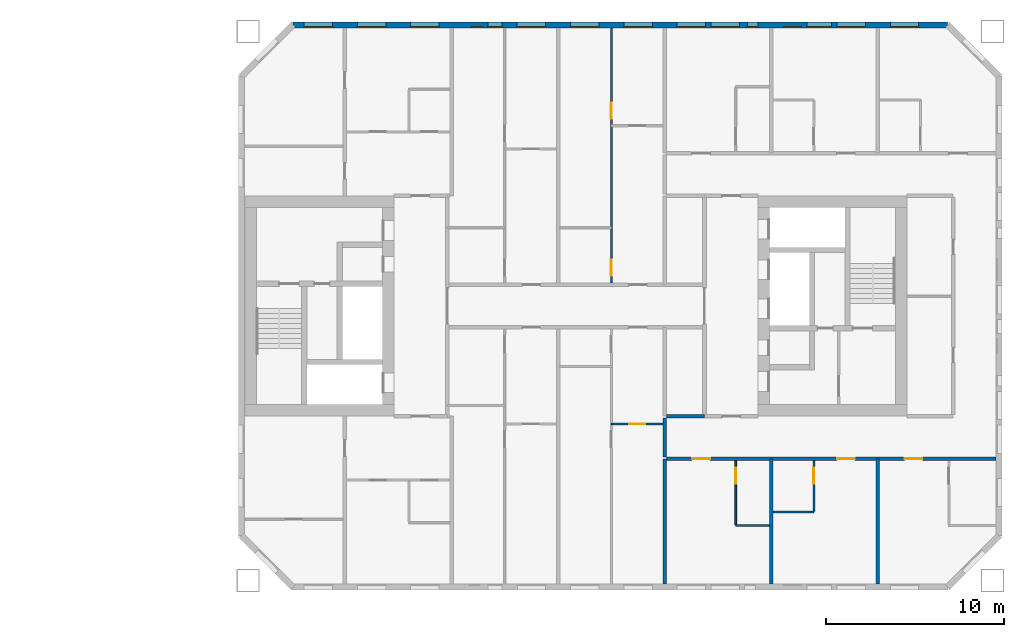
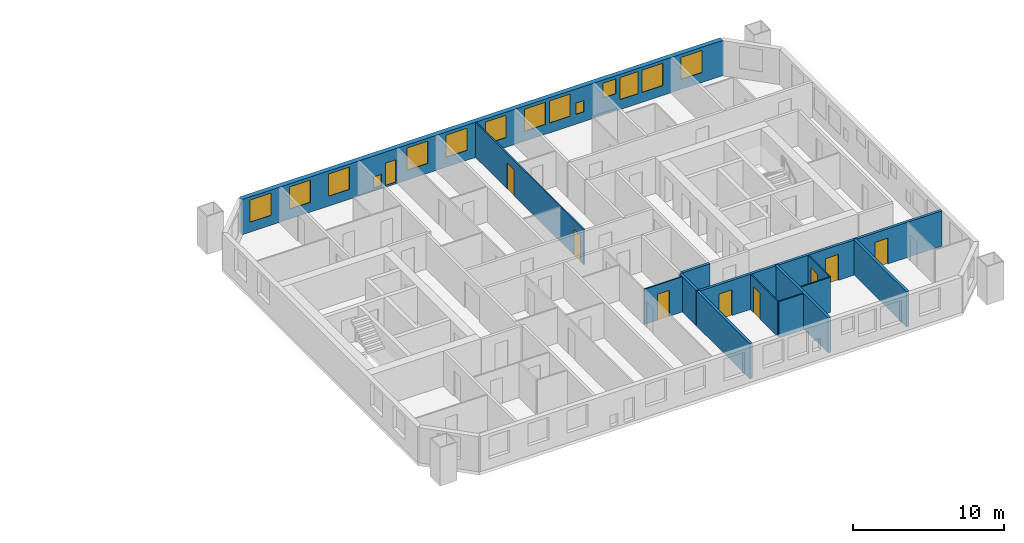
# One storey, part 12 of 17: 15 windows, 13 walls, 8 doors, 23 openings.
"""IFC4 building model written with IfcOpenShell, lengths in metres."""

from ifc_helpers import new_model, si_unit, direction, frame, frame_2d, origin, place, context, subcontext, project, spatial, rectangle, extrude, material, layer, layer_set, type_object, element, fill, save


model = new_model("IFC4")

# Units and contexts
model_context = context("Model", 3, precision=1e-05, world=origin(), true_north=direction((0.0, 1.0)))
body_context = subcontext(model_context, "Body", "Model", "MODEL_VIEW")
ifc_project = project(units=[si_unit("LENGTHUNIT", "METRE"), si_unit("AREAUNIT", "SQUARE_METRE"), si_unit("VOLUMEUNIT", "CUBIC_METRE"), si_unit("PLANEANGLEUNIT", "RADIAN"), si_unit("MASSUNIT", "GRAM", prefix="KILO")], contexts=[model_context])

# Site, building, storey
site_placement = place(None, origin())
site = spatial("IfcSite", under=ifc_project, at=site_placement, CompositionType="ELEMENT")
building_placement = place(site_placement, origin())
building = spatial("IfcBuilding", under=site, at=building_placement, Name="Tuart Gate Housing", CompositionType="ELEMENT")
storey_placement = place(building_placement, frame((0.0, 0.0, 105.699951171875)))
storey = spatial("IfcBuildingStorey", under=building, at=storey_placement, Name="L29", CompositionType="ELEMENT", Elevation=105.699951171875)

# Wall, openings, windows
ifc_material_1 = material(Name="Brick", Category="masonry")
ifc_layer_1 = layer(ifc_material_1, 0.360107421875)
ifc_layer_set_1 = layer_set([ifc_layer_1], Name="Brick pier and spandrel wall 360")
wall_type_1 = type_object("IfcWallType", Name="Brick pier and spandrel wall 360", PredefinedType="STANDARD", material=ifc_layer_set_1)
wall_1_placement = place(storey_placement, frame((170.92529296875, 85.820068359375, 0.0), z_axis=(0.0, 0.0, 1.0), x_axis=(-1.0, 0.0, 0.0)))
wall_1 = element("IfcWall", 1, at=wall_1_placement, inside=storey, type_object=wall_type_1, Name="External wall B-N L29", PredefinedType="STANDARD", context=body_context, shape_type="SweptSolid", body=[
    extrude(rectangle(XDim=36.850830078125, YDim=0.360107421875, at=frame_2d((18.42529296875, 0.0))), origin(), (0.0, 0.0, 1.0), 2.85009765625),
])
opening_1_placement = place(wall_1_placement, frame((1.62548828125, 0.0, 0.800048828125)))
opening_1 = element("IfcOpeningElement", 2, at=opening_1_placement, cuts=wall_1, Name="Opening W1", PredefinedType="OPENING", context=body_context, shape_type="SweptSolid", body=[
    extrude(rectangle(XDim=1.60009765625, YDim=1.800048828125, at=frame_2d((0.800048828125, 0.89990234375))), frame((0.0, 0.18994140625, 0.0), z_axis=(0.0, -1.0, 0.0), x_axis=(1.0, 0.0, 0.0)), (0.0, 0.0, 1.0), 0.380126953125),
])
opening_2_placement = place(wall_1_placement, frame((4.62548828125, 0.0, 0.800048828125)))
opening_2 = element("IfcOpeningElement", 3, at=opening_2_placement, cuts=wall_1, Name="Opening W1", PredefinedType="OPENING", context=body_context, shape_type="SweptSolid", body=[
    extrude(rectangle(XDim=1.60009765625, YDim=1.800048828125, at=frame_2d((0.800048828125, 0.89990234375))), frame((0.0, 0.18994140625, 0.0), z_axis=(0.0, -1.0, 0.0), x_axis=(1.0, 0.0, 0.0)), (0.0, 0.0, 1.0), 0.380126953125),
])
opening_3_placement = place(wall_1_placement, frame((6.525390625, 0.0, 0.800048828125)))
opening_3 = element("IfcOpeningElement", 4, at=opening_3_placement, cuts=wall_1, Name="Opening W1A", PredefinedType="OPENING", context=body_context, shape_type="SweptSolid", body=[
    extrude(rectangle(XDim=1.39990234375, YDim=1.800048828125, at=frame_2d((0.699951171875, 0.89990234375))), frame((0.0, 0.18994140625, 0.0), z_axis=(0.0, -1.0, 0.0), x_axis=(1.0, 0.0, 0.0)), (0.0, 0.0, 1.0), 0.380126953125),
])
opening_4_placement = place(wall_1_placement, frame((10.67529296875, 0.0, 0.800048828125)))
opening_4 = element("IfcOpeningElement", 5, at=opening_4_placement, cuts=wall_1, Name="Opening W1W", PredefinedType="OPENING", context=body_context, shape_type="SweptSolid", body=[
    extrude(rectangle(XDim=0.60009765625, YDim=0.89990234375, at=frame_2d((0.300048828125, 0.449951171875))), frame((0.0, 0.18994140625, 0.0), z_axis=(0.0, -1.0, 0.0), x_axis=(1.0, 0.0, 0.0)), (0.0, 0.0, 1.0), 0.380126953125),
])
opening_5_placement = place(wall_1_placement, frame((13.62548828125, 0.0, 0.800048828125)))
opening_5 = element("IfcOpeningElement", 6, at=opening_5_placement, cuts=wall_1, Name="Opening W1", PredefinedType="OPENING", context=body_context, shape_type="SweptSolid", body=[
    extrude(rectangle(XDim=1.60009765625, YDim=1.800048828125, at=frame_2d((0.800048828125, 0.89990234375))), frame((0.0, 0.18994140625, 0.0), z_axis=(0.0, -1.0, 0.0), x_axis=(1.0, 0.0, 0.0)), (0.0, 0.0, 1.0), 0.380126953125),
])
opening_6_placement = place(wall_1_placement, frame((16.62548828125, 0.0, 0.800048828125)))
opening_6 = element("IfcOpeningElement", 7, at=opening_6_placement, cuts=wall_1, Name="Opening W1", PredefinedType="OPENING", context=body_context, shape_type="SweptSolid", body=[
    extrude(rectangle(XDim=1.60009765625, YDim=1.800048828125, at=frame_2d((0.800048828125, 0.89990234375))), frame((0.0, 0.18994140625, 0.0), z_axis=(0.0, -1.0, 0.0), x_axis=(1.0, 0.0, 0.0)), (0.0, 0.0, 1.0), 0.380126953125),
])
opening_7_placement = place(wall_1_placement, frame((19.62548828125, 0.0, 0.800048828125)))
opening_7 = element("IfcOpeningElement", 8, at=opening_7_placement, cuts=wall_1, Name="Opening W1", PredefinedType="OPENING", context=body_context, shape_type="SweptSolid", body=[
    extrude(rectangle(XDim=1.60009765625, YDim=1.800048828125, at=frame_2d((0.800048828125, 0.89990234375))), frame((0.0, 0.18994140625, 0.0), z_axis=(0.0, -1.0, 0.0), x_axis=(1.0, 0.0, 0.0)), (0.0, 0.0, 1.0), 0.380126953125),
])
opening_8_placement = place(wall_1_placement, frame((22.62548828125, 0.0, 0.800048828125)))
opening_8 = element("IfcOpeningElement", 9, at=opening_8_placement, cuts=wall_1, Name="Opening W1", PredefinedType="OPENING", context=body_context, shape_type="SweptSolid", body=[
    extrude(rectangle(XDim=1.60009765625, YDim=1.800048828125, at=frame_2d((0.800048828125, 0.89990234375))), frame((0.0, 0.18994140625, 0.0), z_axis=(0.0, -1.0, 0.0), x_axis=(1.0, 0.0, 0.0)), (0.0, 0.0, 1.0), 0.380126953125),
])
opening_9_placement = place(wall_1_placement, frame((25.075439453125, 0.0, 0.14990234375)))
opening_9 = element("IfcOpeningElement", 10, at=opening_9_placement, cuts=wall_1, Name="Opening W1D", PredefinedType="OPENING", context=body_context, shape_type="SweptSolid", body=[
    extrude(rectangle(XDim=0.800048828125, YDim=1.800048828125, at=frame_2d((0.39990234375, 0.89990234375))), frame((0.0, 0.18994140625, 0.0), z_axis=(0.0, -1.0, 0.0), x_axis=(1.0, 0.0, 0.0)), (0.0, 0.0, 1.0), 0.380126953125),
])
opening_10_placement = place(wall_1_placement, frame((28.62548828125, 0.0, 0.800048828125)))
opening_10 = element("IfcOpeningElement", 11, at=opening_10_placement, cuts=wall_1, Name="Opening W1", PredefinedType="OPENING", context=body_context, shape_type="SweptSolid", body=[
    extrude(rectangle(XDim=1.60009765625, YDim=1.800048828125, at=frame_2d((0.800048828125, 0.89990234375))), frame((0.0, 0.18994140625, 0.0), z_axis=(0.0, -1.0, 0.0), x_axis=(1.0, 0.0, 0.0)), (0.0, 0.0, 1.0), 0.380126953125),
])
opening_11_placement = place(wall_1_placement, frame((31.62548828125, 0.0, 0.800048828125)))
opening_11 = element("IfcOpeningElement", 12, at=opening_11_placement, cuts=wall_1, Name="Opening W1", PredefinedType="OPENING", context=body_context, shape_type="SweptSolid", body=[
    extrude(rectangle(XDim=1.60009765625, YDim=1.800048828125, at=frame_2d((0.800048828125, 0.89990234375))), frame((0.0, 0.18994140625, 0.0), z_axis=(0.0, -1.0, 0.0), x_axis=(1.0, 0.0, 0.0)), (0.0, 0.0, 1.0), 0.380126953125),
])
opening_12_placement = place(wall_1_placement, frame((34.62548828125, 0.0, 0.800048828125)))
opening_12 = element("IfcOpeningElement", 13, at=opening_12_placement, cuts=wall_1, Name="Opening W1", PredefinedType="OPENING", context=body_context, shape_type="SweptSolid", body=[
    extrude(rectangle(XDim=1.60009765625, YDim=1.800048828125, at=frame_2d((0.800048828125, 0.89990234375))), frame((0.0, 0.18994140625, 0.0), z_axis=(0.0, -1.0, 0.0), x_axis=(1.0, 0.0, 0.0)), (0.0, 0.0, 1.0), 0.380126953125),
])
opening_13_placement = place(wall_1_placement, frame((8.225341796875, 0.0, 1.39990234375)))
opening_13 = element("IfcOpeningElement", 14, at=opening_13_placement, cuts=wall_1, Name="Opening W1O", PredefinedType="OPENING", context=body_context, shape_type="SweptSolid", body=[
    extrude(rectangle(XDim=1.0, YDim=1.199951171875, at=frame_2d((0.5, 0.60009765625))), frame((0.0, 0.18994140625, 0.0), z_axis=(0.0, -1.0, 0.0), x_axis=(1.0, 0.0, 0.0)), (0.0, 0.0, 1.0), 0.380126953125),
])
opening_14_placement = place(wall_1_placement, frame((11.725341796875, 0.0, 0.800048828125)))
opening_14 = element("IfcOpeningElement", 15, at=opening_14_placement, cuts=wall_1, Name="Opening W1", PredefinedType="OPENING", context=body_context, shape_type="SweptSolid", body=[
    extrude(rectangle(XDim=1.60009765625, YDim=1.800048828125, at=frame_2d((0.800048828125, 0.89990234375))), frame((0.0, 0.18994140625, 0.0), z_axis=(0.0, -1.0, 0.0), x_axis=(1.0, 0.0, 0.0)), (0.0, 0.0, 1.0), 0.380126953125),
])
opening_15_placement = place(wall_1_placement, frame((26.17529296875, 0.0, 0.25)))
opening_15 = element("IfcOpeningElement", 16, at=opening_15_placement, cuts=wall_1, Name="Opening W1W", PredefinedType="OPENING", context=body_context, shape_type="SweptSolid", body=[
    extrude(rectangle(XDim=0.60009765625, YDim=0.89990234375, at=frame_2d((0.300048828125, 0.449951171875))), frame((0.0, 0.18994140625, 0.0), z_axis=(0.0, -1.0, 0.0), x_axis=(1.0, 0.0, 0.0)), (0.0, 0.0, 1.0), 0.380126953125),
])
ifc_material_2 = material(Name="Aluminium frame with clear glass", Category="aluminium")
window_type_1 = type_object("IfcWindowType", Name="Punched window 1000 x 1200", PartitioningType="SINGLE_PANEL", PredefinedType="WINDOW", material=ifc_material_2)
window_1_placement = place(opening_13_placement, origin())
window_1 = element("IfcWindow", 17, at=window_1_placement, inside=storey, type_object=window_type_1, Name="Window W1O", OverallHeight=1.199951171875, OverallWidth=1.0, PartitioningType="SINGLE_PANEL", PredefinedType="WINDOW", context=body_context, shape_type="SweptSolid", body=[
    extrude(rectangle(XDim=1.0, YDim=1.199951171875, at=frame_2d((0.5, 0.60009765625))), frame((0.0, 0.150146484375, 0.0), z_axis=(0.0, -1.0, 0.0), x_axis=(1.0, 0.0, 0.0)), (0.0, 0.0, 1.0), 0.06005859375),
])
fill(opening_13, window_1)
ifc_material_3 = material(Name="Aluminium frame with clear glass", Category="aluminium")
window_type_2 = type_object("IfcWindowType", Name="Punched window 1400 x 1800", PartitioningType="SINGLE_PANEL", PredefinedType="WINDOW", material=ifc_material_3)
window_2_placement = place(opening_3_placement, origin())
window_2 = element("IfcWindow", 18, at=window_2_placement, inside=storey, type_object=window_type_2, Name="Window W1A", OverallHeight=1.800048828125, OverallWidth=1.39990234375, PartitioningType="SINGLE_PANEL", PredefinedType="WINDOW", context=body_context, shape_type="SweptSolid", body=[
    extrude(rectangle(XDim=1.39990234375, YDim=1.800048828125, at=frame_2d((0.699951171875, 0.89990234375))), frame((0.0, 0.150146484375, 0.0), z_axis=(0.0, -1.0, 0.0), x_axis=(1.0, 0.0, 0.0)), (0.0, 0.0, 1.0), 0.06005859375),
])
fill(opening_3, window_2)
ifc_material_4 = material(Name="Aluminium frame with clear glass", Category="aluminium")
window_type_3 = type_object("IfcWindowType", Name="Punched window 1600 x 1800", PartitioningType="SINGLE_PANEL", PredefinedType="WINDOW", material=ifc_material_4)
window_3_placement = place(opening_1_placement, origin())
window_3 = element("IfcWindow", 19, at=window_3_placement, inside=storey, type_object=window_type_3, Name="Window W1", OverallHeight=1.800048828125, OverallWidth=1.60009765625, PartitioningType="SINGLE_PANEL", PredefinedType="WINDOW", context=body_context, shape_type="SweptSolid", body=[
    extrude(rectangle(XDim=1.60009765625, YDim=1.800048828125, at=frame_2d((0.800048828125, 0.89990234375))), frame((0.0, 0.150146484375, 0.0), z_axis=(0.0, -1.0, 0.0), x_axis=(1.0, 0.0, 0.0)), (0.0, 0.0, 1.0), 0.06005859375),
])
fill(opening_1, window_3)
window_4_placement = place(opening_2_placement, origin())
window_4 = element("IfcWindow", 20, at=window_4_placement, inside=storey, type_object=window_type_3, Name="Window W1", OverallHeight=1.800048828125, OverallWidth=1.60009765625, PartitioningType="SINGLE_PANEL", PredefinedType="WINDOW", context=body_context, shape_type="SweptSolid", body=[
    extrude(rectangle(XDim=1.60009765625, YDim=1.800048828125, at=frame_2d((0.800048828125, 0.89990234375))), frame((0.0, 0.150146484375, 0.0), z_axis=(0.0, -1.0, 0.0), x_axis=(1.0, 0.0, 0.0)), (0.0, 0.0, 1.0), 0.06005859375),
])
fill(opening_2, window_4)
window_5_placement = place(opening_5_placement, origin())
window_5 = element("IfcWindow", 21, at=window_5_placement, inside=storey, type_object=window_type_3, Name="Window W1", OverallHeight=1.800048828125, OverallWidth=1.60009765625, PartitioningType="SINGLE_PANEL", PredefinedType="WINDOW", context=body_context, shape_type="SweptSolid", body=[
    extrude(rectangle(XDim=1.60009765625, YDim=1.800048828125, at=frame_2d((0.800048828125, 0.89990234375))), frame((0.0, 0.150146484375, 0.0), z_axis=(0.0, -1.0, 0.0), x_axis=(1.0, 0.0, 0.0)), (0.0, 0.0, 1.0), 0.06005859375),
])
fill(opening_5, window_5)
window_6_placement = place(opening_6_placement, origin())
window_6 = element("IfcWindow", 22, at=window_6_placement, inside=storey, type_object=window_type_3, Name="Window W1", OverallHeight=1.800048828125, OverallWidth=1.60009765625, PartitioningType="SINGLE_PANEL", PredefinedType="WINDOW", context=body_context, shape_type="SweptSolid", body=[
    extrude(rectangle(XDim=1.60009765625, YDim=1.800048828125, at=frame_2d((0.800048828125, 0.89990234375))), frame((0.0, 0.150146484375, 0.0), z_axis=(0.0, -1.0, 0.0), x_axis=(1.0, 0.0, 0.0)), (0.0, 0.0, 1.0), 0.06005859375),
])
fill(opening_6, window_6)
window_7_placement = place(opening_7_placement, origin())
window_7 = element("IfcWindow", 23, at=window_7_placement, inside=storey, type_object=window_type_3, Name="Window W1", OverallHeight=1.800048828125, OverallWidth=1.60009765625, PartitioningType="SINGLE_PANEL", PredefinedType="WINDOW", context=body_context, shape_type="SweptSolid", body=[
    extrude(rectangle(XDim=1.60009765625, YDim=1.800048828125, at=frame_2d((0.800048828125, 0.89990234375))), frame((0.0, 0.150146484375, 0.0), z_axis=(0.0, -1.0, 0.0), x_axis=(1.0, 0.0, 0.0)), (0.0, 0.0, 1.0), 0.06005859375),
])
fill(opening_7, window_7)
window_8_placement = place(opening_8_placement, origin())
window_8 = element("IfcWindow", 24, at=window_8_placement, inside=storey, type_object=window_type_3, Name="Window W1", OverallHeight=1.800048828125, OverallWidth=1.60009765625, PartitioningType="SINGLE_PANEL", PredefinedType="WINDOW", context=body_context, shape_type="SweptSolid", body=[
    extrude(rectangle(XDim=1.60009765625, YDim=1.800048828125, at=frame_2d((0.800048828125, 0.89990234375))), frame((0.0, 0.150146484375, 0.0), z_axis=(0.0, -1.0, 0.0), x_axis=(1.0, 0.0, 0.0)), (0.0, 0.0, 1.0), 0.06005859375),
])
fill(opening_8, window_8)
window_9_placement = place(opening_10_placement, origin())
window_9 = element("IfcWindow", 25, at=window_9_placement, inside=storey, type_object=window_type_3, Name="Window W1", OverallHeight=1.800048828125, OverallWidth=1.60009765625, PartitioningType="SINGLE_PANEL", PredefinedType="WINDOW", context=body_context, shape_type="SweptSolid", body=[
    extrude(rectangle(XDim=1.60009765625, YDim=1.800048828125, at=frame_2d((0.800048828125, 0.89990234375))), frame((0.0, 0.150146484375, 0.0), z_axis=(0.0, -1.0, 0.0), x_axis=(1.0, 0.0, 0.0)), (0.0, 0.0, 1.0), 0.06005859375),
])
fill(opening_10, window_9)
window_10_placement = place(opening_11_placement, origin())
window_10 = element("IfcWindow", 26, at=window_10_placement, inside=storey, type_object=window_type_3, Name="Window W1", OverallHeight=1.800048828125, OverallWidth=1.60009765625, PartitioningType="SINGLE_PANEL", PredefinedType="WINDOW", context=body_context, shape_type="SweptSolid", body=[
    extrude(rectangle(XDim=1.60009765625, YDim=1.800048828125, at=frame_2d((0.800048828125, 0.89990234375))), frame((0.0, 0.150146484375, 0.0), z_axis=(0.0, -1.0, 0.0), x_axis=(1.0, 0.0, 0.0)), (0.0, 0.0, 1.0), 0.06005859375),
])
fill(opening_11, window_10)
window_11_placement = place(opening_12_placement, origin())
window_11 = element("IfcWindow", 27, at=window_11_placement, inside=storey, type_object=window_type_3, Name="Window W1", OverallHeight=1.800048828125, OverallWidth=1.60009765625, PartitioningType="SINGLE_PANEL", PredefinedType="WINDOW", context=body_context, shape_type="SweptSolid", body=[
    extrude(rectangle(XDim=1.60009765625, YDim=1.800048828125, at=frame_2d((0.800048828125, 0.89990234375))), frame((0.0, 0.150146484375, 0.0), z_axis=(0.0, -1.0, 0.0), x_axis=(1.0, 0.0, 0.0)), (0.0, 0.0, 1.0), 0.06005859375),
])
fill(opening_12, window_11)
window_12_placement = place(opening_14_placement, origin())
window_12 = element("IfcWindow", 28, at=window_12_placement, inside=storey, type_object=window_type_3, Name="Window W1", OverallHeight=1.800048828125, OverallWidth=1.60009765625, PartitioningType="SINGLE_PANEL", PredefinedType="WINDOW", context=body_context, shape_type="SweptSolid", body=[
    extrude(rectangle(XDim=1.60009765625, YDim=1.800048828125, at=frame_2d((0.800048828125, 0.89990234375))), frame((0.0, 0.150146484375, 0.0), z_axis=(0.0, -1.0, 0.0), x_axis=(1.0, 0.0, 0.0)), (0.0, 0.0, 1.0), 0.06005859375),
])
fill(opening_14, window_12)
ifc_material_5 = material(Name="Aluminium frame with clear glass", Category="aluminium")
window_type_4 = type_object("IfcWindowType", Name="Punched window 600 x 900", PartitioningType="SINGLE_PANEL", PredefinedType="WINDOW", material=ifc_material_5)
window_13_placement = place(opening_4_placement, origin())
window_13 = element("IfcWindow", 29, at=window_13_placement, inside=storey, type_object=window_type_4, Name="Window W1W", OverallHeight=0.89990234375, OverallWidth=0.60009765625, PartitioningType="SINGLE_PANEL", PredefinedType="WINDOW", context=body_context, shape_type="SweptSolid", body=[
    extrude(rectangle(XDim=0.60009765625, YDim=0.89990234375, at=frame_2d((0.300048828125, 0.449951171875))), frame((0.0, 0.150146484375, 0.0), z_axis=(0.0, -1.0, 0.0), x_axis=(1.0, 0.0, 0.0)), (0.0, 0.0, 1.0), 0.06005859375),
])
fill(opening_4, window_13)
window_14_placement = place(opening_15_placement, origin())
window_14 = element("IfcWindow", 30, at=window_14_placement, inside=storey, type_object=window_type_4, Name="Window W1W", OverallHeight=0.89990234375, OverallWidth=0.60009765625, PartitioningType="SINGLE_PANEL", PredefinedType="WINDOW", context=body_context, shape_type="SweptSolid", body=[
    extrude(rectangle(XDim=0.60009765625, YDim=0.89990234375, at=frame_2d((0.300048828125, 0.449951171875))), frame((0.0, 0.150146484375, 0.0), z_axis=(0.0, -1.0, 0.0), x_axis=(1.0, 0.0, 0.0)), (0.0, 0.0, 1.0), 0.06005859375),
])
fill(opening_15, window_14)
ifc_material_6 = material(Name="Aluminium frame with clear glass", Category="aluminium")
window_type_5 = type_object("IfcWindowType", Name="Punched window 800 x 1800", PartitioningType="SINGLE_PANEL", PredefinedType="WINDOW", material=ifc_material_6)
window_15_placement = place(opening_9_placement, origin())
window_15 = element("IfcWindow", 31, at=window_15_placement, inside=storey, type_object=window_type_5, Name="Window W1D", OverallHeight=1.800048828125, OverallWidth=0.800048828125, PartitioningType="SINGLE_PANEL", PredefinedType="WINDOW", context=body_context, shape_type="SweptSolid", body=[
    extrude(rectangle(XDim=0.800048828125, YDim=1.800048828125, at=frame_2d((0.39990234375, 0.89990234375))), frame((0.0, 0.150146484375, 0.0), z_axis=(0.0, -1.0, 0.0), x_axis=(1.0, 0.0, 0.0)), (0.0, 0.0, 1.0), 0.06005859375),
])
fill(opening_9, window_15)

# Wall, openings, doors
ifc_material_7 = material(Name="Concrete masonry 15 MPa", Category="masonry")
ifc_layer_2 = layer(ifc_material_7, 0.199951171875)
ifc_layer_set_2 = layer_set([ifc_layer_2], Name="Corridor wall masonry 200")
wall_type_2 = type_object("IfcWallType", Name="Corridor wall masonry 200", PredefinedType="PARTITIONING", material=ifc_layer_set_2)
wall_2_placement = place(storey_placement, frame((155.10009765625, 61.39990234375, 0.0), z_axis=(0.0, 0.0, 1.0), x_axis=(1.0, 0.0, 0.0)))
wall_2 = element("IfcWall", 32, at=wall_2_placement, inside=storey, type_object=wall_type_2, Name="Corridor wall masonry 200", PredefinedType="PARTITIONING", context=body_context, shape_type="SweptSolid", body=[
    extrude(rectangle(XDim=18.539794921875, YDim=0.199951171875, at=frame_2d((9.27001953125, 0.0))), origin(), (0.0, 0.0, 1.0), 2.85009765625),
])
opening_16_placement = place(wall_2_placement, frame((1.449951171875, 0.0, 0.0)))
opening_16 = element("IfcOpeningElement", 33, at=opening_16_placement, cuts=wall_2, Name="Opening D1280", PredefinedType="OPENING", context=body_context, shape_type="SweptSolid", body=[
    extrude(rectangle(XDim=1.0, YDim=2.10009765625, at=frame_2d((0.5, 1.050048828125))), frame((0.0, 0.10986328125, 0.0), z_axis=(0.0, -1.0, 0.0), x_axis=(1.0, 0.0, 0.0)), (0.0, 0.0, 1.0), 0.219970703125),
])
opening_17_placement = place(wall_2_placement, frame((9.60009765625, 0.0, 0.0)))
opening_17 = element("IfcOpeningElement", 34, at=opening_17_placement, cuts=wall_2, Name="Opening D1281", PredefinedType="OPENING", context=body_context, shape_type="SweptSolid", body=[
    extrude(rectangle(XDim=1.0, YDim=2.10009765625, at=frame_2d((0.5, 1.050048828125))), frame((0.0, 0.10986328125, 0.0), z_axis=(0.0, -1.0, 0.0), x_axis=(1.0, 0.0, 0.0)), (0.0, 0.0, 1.0), 0.219970703125),
])
opening_18_placement = place(wall_2_placement, frame((13.39990234375, 0.0, 0.0)))
opening_18 = element("IfcOpeningElement", 35, at=opening_18_placement, cuts=wall_2, Name="Opening D1282", PredefinedType="OPENING", context=body_context, shape_type="SweptSolid", body=[
    extrude(rectangle(XDim=1.0, YDim=2.10009765625, at=frame_2d((0.5, 1.050048828125))), frame((0.0, 0.10986328125, 0.0), z_axis=(0.0, -1.0, 0.0), x_axis=(1.0, 0.0, 0.0)), (0.0, 0.0, 1.0), 0.219970703125),
])
ifc_material_8 = material(Name="Timber door leaf in steel frame", Category="steel")
door_type_1 = type_object("IfcDoorType", Name="Flat entrance door 1000", OperationType="SINGLE_SWING_LEFT", PredefinedType="DOOR", material=ifc_material_8)
door_1_placement = place(opening_16_placement, frame((1.0, 0.0, 0.0), z_axis=(0.0, 0.0, 1.0), x_axis=(-1.0, 0.0, 0.0)))
door_1 = element("IfcDoor", 36, at=door_1_placement, inside=storey, type_object=door_type_1, Name="Flat entrance door", OperationType="SINGLE_SWING_LEFT", OverallHeight=2.10009765625, OverallWidth=1.0, PredefinedType="DOOR", context=body_context, shape_type="SweptSolid", body=[
    extrude(rectangle(XDim=1.0, YDim=2.10009765625, at=frame_2d((0.5, 1.050048828125))), frame((0.0, 0.025146484375, 0.0), z_axis=(0.0, -1.0, 0.0), x_axis=(1.0, 0.0, 0.0)), (0.0, 0.0, 1.0), 0.050048828125),
])
fill(opening_16, door_1)
ifc_material_9 = material(Name="Timber door leaf in steel frame", Category="steel")
door_type_2 = type_object("IfcDoorType", Name="Flat entrance door 1000 RH", OperationType="SINGLE_SWING_RIGHT", PredefinedType="DOOR", material=ifc_material_9)
door_2_placement = place(opening_17_placement, frame((1.0, 0.0, 0.0), z_axis=(0.0, 0.0, 1.0), x_axis=(-1.0, 0.0, 0.0)))
door_2 = element("IfcDoor", 37, at=door_2_placement, inside=storey, type_object=door_type_2, Name="Flat entrance door", OperationType="SINGLE_SWING_RIGHT", OverallHeight=2.10009765625, OverallWidth=1.0, PredefinedType="DOOR", context=body_context, shape_type="SweptSolid", body=[
    extrude(rectangle(XDim=1.0, YDim=2.10009765625, at=frame_2d((0.5, 1.050048828125))), frame((0.0, 0.025146484375, 0.0), z_axis=(0.0, -1.0, 0.0), x_axis=(1.0, 0.0, 0.0)), (0.0, 0.0, 1.0), 0.050048828125),
])
fill(opening_17, door_2)
door_3_placement = place(opening_18_placement, frame((1.0, 0.0, 0.0), z_axis=(0.0, 0.0, 1.0), x_axis=(-1.0, 0.0, 0.0)))
door_3 = element("IfcDoor", 38, at=door_3_placement, inside=storey, type_object=door_type_2, Name="Flat entrance door", OperationType="SINGLE_SWING_RIGHT", OverallHeight=2.10009765625, OverallWidth=1.0, PredefinedType="DOOR", context=body_context, shape_type="SweptSolid", body=[
    extrude(rectangle(XDim=1.0, YDim=2.10009765625, at=frame_2d((0.5, 1.050048828125))), frame((0.0, 0.025146484375, 0.0), z_axis=(0.0, -1.0, 0.0), x_axis=(1.0, 0.0, 0.0)), (0.0, 0.0, 1.0), 0.050048828125),
])
fill(opening_18, door_3)

# Walls
wall_3_placement = place(storey_placement, frame((155.10009765625, 63.800048828125, 0.0), z_axis=(0.0, 0.0, 1.0), x_axis=(1.0, 0.0, 0.0)))
element("IfcWall", 39, at=wall_3_placement, inside=storey, type_object=wall_type_2, Name="Corridor wall masonry 200", PredefinedType="PARTITIONING", context=body_context, shape_type="SweptSolid", body=[
    extrude(rectangle(XDim=2.139892578125, YDim=0.199951171875, at=frame_2d((1.06982421875, 0.0))), origin(), (0.0, 0.0, 1.0), 2.85009765625),
])
wall_4_placement = place(storey_placement, frame((155.0, 61.5, 0.0), z_axis=(0.0, 0.0, 1.0), x_axis=(0.0, 1.0, 0.0)))
element("IfcWall", 40, at=wall_4_placement, inside=storey, type_object=wall_type_2, Name="Corridor wall masonry 200", PredefinedType="PARTITIONING", context=body_context, shape_type="SweptSolid", body=[
    extrude(rectangle(XDim=2.199951171875, YDim=0.199951171875, at=frame_2d((1.10009765625, 0.0))), origin(), (0.0, 0.0, 1.0), 2.85009765625),
])
ifc_material_10 = material(Name="Gypsum board on steel studs", Category="steel")
ifc_layer_3 = layer(ifc_material_10, 0.10009765625)
ifc_layer_set_3 = layer_set([ifc_layer_3], Name="Partition 100")
wall_type_3 = type_object("IfcWallType", Name="Partition 100", PredefinedType="PARTITIONING", material=ifc_layer_set_3)
wall_5_placement = place(storey_placement, frame((159.0, 57.64990234375, 0.0), z_axis=(0.0, 0.0, 1.0), x_axis=(1.0, 0.0, 0.0)))
element("IfcWall", 41, at=wall_5_placement, inside=storey, type_object=wall_type_3, Name="Partition 100", PredefinedType="PARTITIONING", context=body_context, shape_type="SweptSolid", body=[
    extrude(rectangle(XDim=1.89990234375, YDim=0.10009765625, at=frame_2d((0.949951171875, 0.0))), origin(), (0.0, 0.0, 1.0), 2.85009765625),
])
wall_6_placement = place(storey_placement, frame((161.10009765625, 58.39990234375, 0.0), z_axis=(0.0, 0.0, 1.0), x_axis=(1.0, 0.0, 0.0)))
element("IfcWall", 42, at=wall_6_placement, inside=storey, type_object=wall_type_3, Name="Partition 100", PredefinedType="PARTITIONING", context=body_context, shape_type="SweptSolid", body=[
    extrude(rectangle(XDim=2.2998046875, YDim=0.10009765625, at=frame_2d((1.14990234375, 0.0))), origin(), (0.0, 0.0, 1.0), 2.85009765625),
])

# Wall, opening, door
wall_7_placement = place(storey_placement, frame((152.0, 63.360107421875, 0.0), z_axis=(0.0, 0.0, 1.0), x_axis=(1.0, 0.0, 0.0)))
wall_7 = element("IfcWall", 43, at=wall_7_placement, inside=storey, type_object=wall_type_3, Name="Partition 100", PredefinedType="PARTITIONING", context=body_context, shape_type="SweptSolid", body=[
    extrude(rectangle(XDim=2.89990234375, YDim=0.10009765625, at=frame_2d((1.449951171875, 0.0))), origin(), (0.0, 0.0, 1.0), 2.85009765625),
])
opening_19_placement = place(wall_7_placement, frame((1.0, 0.0, 0.0)))
opening_19 = element("IfcOpeningElement", 44, at=opening_19_placement, cuts=wall_7, Name="Opening D1275", PredefinedType="OPENING", context=body_context, shape_type="SweptSolid", body=[
    extrude(rectangle(XDim=0.89990234375, YDim=2.10009765625, at=frame_2d((0.449951171875, 1.050048828125))), frame((0.0, 0.06005859375, 0.0), z_axis=(0.0, -1.0, 0.0), x_axis=(1.0, 0.0, 0.0)), (0.0, 0.0, 1.0), 0.1201171875),
])
ifc_material_11 = material(Name="Timber door leaf in steel frame", Category="steel")
door_type_3 = type_object("IfcDoorType", Name="Internal door 900", OperationType="SINGLE_SWING_LEFT", PredefinedType="DOOR", material=ifc_material_11)
door_4_placement = place(opening_19_placement, origin())
door_4 = element("IfcDoor", 45, at=door_4_placement, inside=storey, type_object=door_type_3, Name="Internal door", OperationType="SINGLE_SWING_LEFT", OverallHeight=2.10009765625, OverallWidth=0.89990234375, PredefinedType="DOOR", context=body_context, shape_type="SweptSolid", body=[
    extrude(rectangle(XDim=0.89990234375, YDim=2.10009765625, at=frame_2d((0.449951171875, 1.050048828125))), frame((0.0, 0.02490234375, 0.0), z_axis=(0.0, -1.0, 0.0), x_axis=(1.0, 0.0, 0.0)), (0.0, 0.0, 1.0), 0.050048828125),
])
fill(opening_19, door_4)

# Wall, openings, doors
wall_8_placement = place(storey_placement, frame((152.0, 71.300048828125, 0.0), z_axis=(0.0, 0.0, 1.0), x_axis=(0.0, 1.0, 0.0)))
wall_8 = element("IfcWall", 46, at=wall_8_placement, inside=storey, type_object=wall_type_3, Name="Partition 100", PredefinedType="PARTITIONING", context=body_context, shape_type="SweptSolid", body=[
    extrude(rectangle(XDim=14.33984375, YDim=0.10009765625, at=frame_2d((7.169921875, 0.0))), origin(), (0.0, 0.0, 1.0), 2.85009765625),
])
opening_20_placement = place(wall_8_placement, frame((9.239990234375, 0.0, 0.0)))
opening_20 = element("IfcOpeningElement", 47, at=opening_20_placement, cuts=wall_8, Name="Opening D1252", PredefinedType="OPENING", context=body_context, shape_type="SweptSolid", body=[
    extrude(rectangle(XDim=0.89990234375, YDim=2.10009765625, at=frame_2d((0.449951171875, 1.050048828125))), frame((0.0, 0.06005859375, 0.0), z_axis=(0.0, -1.0, 0.0), x_axis=(1.0, 0.0, 0.0)), (0.0, 0.0, 1.0), 0.1201171875),
])
opening_21_placement = place(wall_8_placement, frame((0.39990234375, 0.0, 0.0)))
opening_21 = element("IfcOpeningElement", 48, at=opening_21_placement, cuts=wall_8, Name="Opening D1251", PredefinedType="OPENING", context=body_context, shape_type="SweptSolid", body=[
    extrude(rectangle(XDim=0.89990234375, YDim=2.10009765625, at=frame_2d((0.449951171875, 1.050048828125))), frame((0.0, 0.06005859375, 0.0), z_axis=(0.0, -1.0, 0.0), x_axis=(1.0, 0.0, 0.0)), (0.0, 0.0, 1.0), 0.1201171875),
])
ifc_material_12 = material(Name="Timber door leaf in steel frame", Category="steel")
door_type_4 = type_object("IfcDoorType", Name="Bathroom door 900", OperationType="SINGLE_SWING_LEFT", PredefinedType="DOOR", material=ifc_material_12)
door_5_placement = place(opening_21_placement, origin())
door_5 = element("IfcDoor", 49, at=door_5_placement, inside=storey, type_object=door_type_4, Name="Bathroom door", OperationType="SINGLE_SWING_LEFT", OverallHeight=2.10009765625, OverallWidth=0.89990234375, PredefinedType="DOOR", context=body_context, shape_type="SweptSolid", body=[
    extrude(rectangle(XDim=0.89990234375, YDim=2.10009765625, at=frame_2d((0.449951171875, 1.050048828125))), frame((0.0, 0.02490234375, 0.0), z_axis=(0.0, -1.0, 0.0), x_axis=(1.0, 0.0, 0.0)), (0.0, 0.0, 1.0), 0.050048828125),
])
fill(opening_21, door_5)
ifc_material_13 = material(Name="Timber door leaf in steel frame", Category="steel")
door_type_5 = type_object("IfcDoorType", Name="Internal door 900 RH", OperationType="SINGLE_SWING_RIGHT", PredefinedType="DOOR", material=ifc_material_13)
door_6_placement = place(opening_20_placement, origin())
door_6 = element("IfcDoor", 50, at=door_6_placement, inside=storey, type_object=door_type_5, Name="Internal door", OperationType="SINGLE_SWING_RIGHT", OverallHeight=2.10009765625, OverallWidth=0.89990234375, PredefinedType="DOOR", context=body_context, shape_type="SweptSolid", body=[
    extrude(rectangle(XDim=0.89990234375, YDim=2.10009765625, at=frame_2d((0.449951171875, 1.050048828125))), frame((0.0, 0.02490234375, 0.0), z_axis=(0.0, -1.0, 0.0), x_axis=(1.0, 0.0, 0.0)), (0.0, 0.0, 1.0), 0.050048828125),
])
fill(opening_20, door_6)

# Wall, opening, door
wall_9_placement = place(storey_placement, frame((159.0, 57.699951171875, 0.0), z_axis=(0.0, 0.0, 1.0), x_axis=(0.0, 1.0, 0.0)))
wall_9 = element("IfcWall", 51, at=wall_9_placement, inside=storey, type_object=wall_type_3, Name="Partition 100", PredefinedType="PARTITIONING", context=body_context, shape_type="SweptSolid", body=[
    extrude(rectangle(XDim=3.60009765625, YDim=0.10009765625, at=frame_2d((1.800048828125, 0.0))), origin(), (0.0, 0.0, 1.0), 2.85009765625),
])
opening_22_placement = place(wall_9_placement, frame((2.300048828125, 0.0, 0.0)))
opening_22 = element("IfcOpeningElement", 52, at=opening_22_placement, cuts=wall_9, Name="Opening D1286", PredefinedType="OPENING", context=body_context, shape_type="SweptSolid", body=[
    extrude(rectangle(XDim=0.89990234375, YDim=2.10009765625, at=frame_2d((0.449951171875, 1.050048828125))), frame((0.0, 0.06005859375, 0.0), z_axis=(0.0, -1.0, 0.0), x_axis=(1.0, 0.0, 0.0)), (0.0, 0.0, 1.0), 0.1201171875),
])
door_7_placement = place(opening_22_placement, frame((0.89990234375, 0.0, 0.0), z_axis=(0.0, 0.0, 1.0), x_axis=(-1.0, 0.0, 0.0)))
door_7 = element("IfcDoor", 53, at=door_7_placement, inside=storey, type_object=door_type_4, Name="Bathroom door", OperationType="SINGLE_SWING_LEFT", OverallHeight=2.10009765625, OverallWidth=0.89990234375, PredefinedType="DOOR", context=body_context, shape_type="SweptSolid", body=[
    extrude(rectangle(XDim=0.89990234375, YDim=2.10009765625, at=frame_2d((0.449951171875, 1.050048828125))), frame((0.0, 0.025146484375, 0.0), z_axis=(0.0, -1.0, 0.0), x_axis=(1.0, 0.0, 0.0)), (0.0, 0.0, 1.0), 0.050048828125),
])
fill(opening_22, door_7)

wall_10_placement = place(storey_placement, frame((163.39990234375, 58.449951171875, 0.0), z_axis=(0.0, 0.0, 1.0), x_axis=(0.0, 1.0, 0.0)))
wall_10 = element("IfcWall", 54, at=wall_10_placement, inside=storey, type_object=wall_type_3, Name="Partition 100", PredefinedType="PARTITIONING", context=body_context, shape_type="SweptSolid", body=[
    extrude(rectangle(XDim=2.85009765625, YDim=0.10009765625, at=frame_2d((1.425048828125, 0.0))), origin(), (0.0, 0.0, 1.0), 2.85009765625),
])
opening_23_placement = place(wall_10_placement, frame((1.550048828125, 0.0, 0.0)))
opening_23 = element("IfcOpeningElement", 55, at=opening_23_placement, cuts=wall_10, Name="Opening D1285", PredefinedType="OPENING", context=body_context, shape_type="SweptSolid", body=[
    extrude(rectangle(XDim=0.89990234375, YDim=2.10009765625, at=frame_2d((0.449951171875, 1.050048828125))), frame((0.0, 0.06005859375, 0.0), z_axis=(0.0, -1.0, 0.0), x_axis=(1.0, 0.0, 0.0)), (0.0, 0.0, 1.0), 0.1201171875),
])
ifc_material_14 = material(Name="Timber door leaf in steel frame", Category="steel")
door_type_6 = type_object("IfcDoorType", Name="Bathroom door 900 RH", OperationType="SINGLE_SWING_RIGHT", PredefinedType="DOOR", material=ifc_material_14)
door_8_placement = place(opening_23_placement, origin())
door_8 = element("IfcDoor", 56, at=door_8_placement, inside=storey, type_object=door_type_6, Name="Bathroom door", OperationType="SINGLE_SWING_RIGHT", OverallHeight=2.10009765625, OverallWidth=0.89990234375, PredefinedType="DOOR", context=body_context, shape_type="SweptSolid", body=[
    extrude(rectangle(XDim=0.89990234375, YDim=2.10009765625, at=frame_2d((0.449951171875, 1.050048828125))), frame((0.0, 0.02490234375, 0.0), z_axis=(0.0, -1.0, 0.0), x_axis=(1.0, 0.0, 0.0)), (0.0, 0.0, 1.0), 0.050048828125),
])
fill(opening_23, door_8)

# Walls
ifc_material_15 = material(Name="Concrete C40", Category="concrete")
ifc_layer_4 = layer(ifc_material_15, 0.199951171875)
ifc_layer_set_4 = layer_set([ifc_layer_4], Name="Party wall concrete C40 200")
wall_type_4 = type_object("IfcWallType", Name="Party wall concrete C40 200", PredefinedType="SOLIDWALL", material=ifc_layer_set_4)
for number, where, z_axis, x_axis, name in (
    (57, (155.0, 54.360107421875, 0.0), (0.0, 0.0, 1.0), (0.0, 1.0, 0.0), "Party wall concrete C40 200"),
    (58, (161.0, 54.360107421875, 0.0), (0.0, 0.0, 1.0), (0.0, 1.0, 0.0), "Party wall concrete C40 200"),
    (59, (167.0, 54.360107421875, 0.0), (0.0, 0.0, 1.0), (0.0, 1.0, 0.0), "Party wall concrete C40 200"),
):
    element("IfcWall", number, at=place(storey_placement, frame(where, z_axis=z_axis, x_axis=x_axis)), inside=storey, type_object=wall_type_4, Name=name, PredefinedType="SOLIDWALL", context=body_context, shape_type="SweptSolid", body=[
        extrude(rectangle(XDim=7.039794921875, YDim=0.199951171875, at=frame_2d((3.52001953125, 0.0))), origin(), (0.0, 0.0, 1.0), 2.85009765625),
    ])

save(model, "model.ifc")
